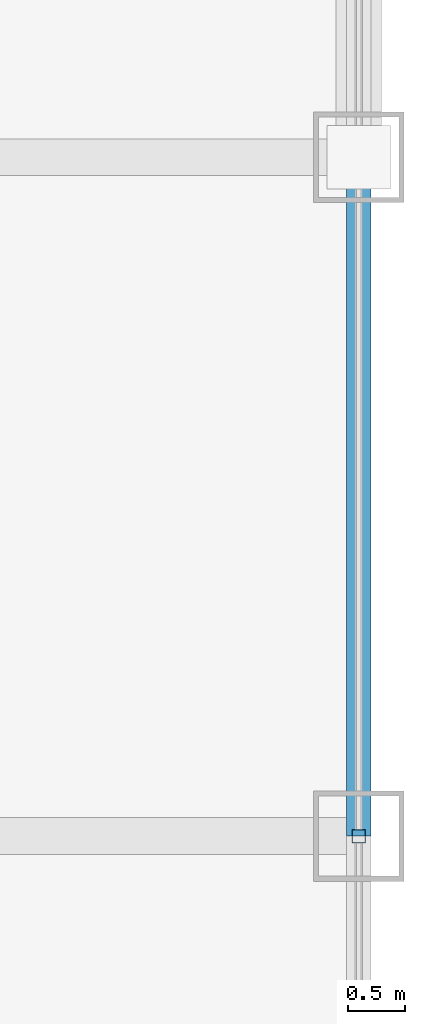
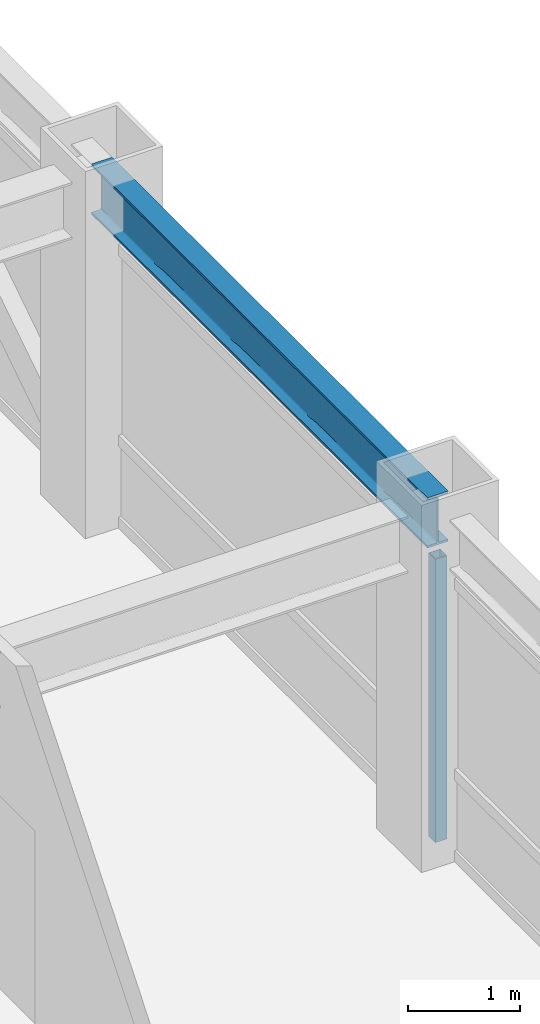
# One storey, part 12 of 28: 1 beam, 1 member, 1 element without a shape of its own.
"""IFC4 building model written with IfcOpenShell, lengths in metres."""

import ifcopenshell
import ifcopenshell.guid

model = None  # the IFC model being written
_history = None  # IfcOwnerHistory: only IFC2X3 demands one
_inside = {}  # id of a spatial element -> (the spatial element, [elements in it])
_under = {}  # id of a project, library or spatial element -> (it, [spatial elements below it])
_declared = {}  # id of a project -> (the project, [libraries it declares])
_typed = {}  # id of a type object -> (the type object, [elements of that type])
_made_of = {}  # id of a material, layer set ... -> (it, [elements and type objects made of it])


def new_model(schema):
    """Start an empty IFC model of exactly this schema.

    Asked for "IFC4X3", IfcOpenShell would pick the latest addendum, in which some entities
    have other attributes; the version numbers below select the first issue.
    IFC2X3 requires an IfcOwnerHistory on every rooted entity: one is made here for all.
    """
    global model, _history
    if schema == "IFC4X3":
        model = ifcopenshell.file(schema_version=(4, 3, 0, 0))
    else:
        model = ifcopenshell.file(schema=schema)
    _inside.clear()
    _under.clear()
    _declared.clear()
    _typed.clear()
    _made_of.clear()
    _history = None
    if model.schema == "IFC2X3":
        org = make("IfcOrganization", Name="unknown")
        user = make(
            "IfcPersonAndOrganization",
            ThePerson=make("IfcPerson", FamilyName="unknown"),
            TheOrganization=org,
        )
        app = make(
            "IfcApplication",
            ApplicationDeveloper=org,
            Version="unknown",
            ApplicationFullName="unknown",
            ApplicationIdentifier="unknown",
        )
        _history = make(
            "IfcOwnerHistory",
            OwningUser=user,
            OwningApplication=app,
            ChangeAction="ADDED",
            CreationDate=0,
        )
    return model


def make(cls, **values):
    """One entity of the class cls with the attributes given. An attribute that is None is left unset."""
    return model.create_entity(
        cls, **{name: value for name, value in values.items() if value is not None}
    )


def rooted(cls, **values):
    """An entity with a GlobalId (a new one), such as an element, a storey or a relation."""
    return make(cls, GlobalId=ifcopenshell.guid.new(), OwnerHistory=_history, **values)


def si_unit(unit_type, name, prefix=None):
    """IfcSIUnit, for example si_unit("LENGTHUNIT", "METRE", prefix="MILLI")."""
    return make("IfcSIUnit", UnitType=unit_type, Prefix=prefix, Name=name)


def assignment(units):
    """IfcUnitAssignment: the units of a project."""
    return None if units is None else make("IfcUnitAssignment", Units=units)


def point(xyz):
    """IfcCartesianPoint."""
    return None if xyz is None else make("IfcCartesianPoint", Coordinates=xyz)


def direction(xyz):
    """IfcDirection."""
    return None if xyz is None else make("IfcDirection", DirectionRatios=xyz)


def frame(location, z_axis=None, x_axis=None):
    """IfcAxis2Placement3D, a coordinate frame: its origin and axes. An axis left out is left unset."""
    return make(
        "IfcAxis2Placement3D",
        Location=point(location),
        Axis=direction(z_axis),
        RefDirection=direction(x_axis),
    )


def frame_2d(location, x_axis=None):
    """IfcAxis2Placement2D, a coordinate frame in the plane: its origin and x axis."""
    return make(
        "IfcAxis2Placement2D", Location=point(location), RefDirection=direction(x_axis)
    )


def origin():
    """The frame at (0, 0, 0) with its axes left unset."""
    return frame((0.0, 0.0, 0.0))


def origin_2d():
    """The frame at (0, 0) in the plane with its x axis left unset."""
    return frame_2d((0.0, 0.0))


def place(relative_to, where):
    """IfcLocalPlacement: puts the frame where relative to a parent placement (None: the world)."""
    return make(
        "IfcLocalPlacement", PlacementRelTo=relative_to, RelativePlacement=where
    )


def context(
    kind, dimensions, precision=None, world=None, true_north=None, identifier=None
):
    """IfcGeometricRepresentationContext, for example the 3D "Model" context."""
    return make(
        "IfcGeometricRepresentationContext",
        ContextIdentifier=identifier,
        ContextType=kind,
        CoordinateSpaceDimension=dimensions,
        Precision=precision,
        WorldCoordinateSystem=world,
        TrueNorth=true_north,
    )


def subcontext(parent, identifier, kind, view, scale=None):
    """IfcGeometricRepresentationSubContext, for example "Body" below "Model"."""
    return make(
        "IfcGeometricRepresentationSubContext",
        ContextIdentifier=identifier,
        ContextType=kind,
        ParentContext=parent,
        TargetScale=scale,
        TargetView=view,
    )


def project(units=None, contexts=None):
    """IfcProject with its units and contexts."""
    return rooted(
        "IfcProject",
        Name="project",
        RepresentationContexts=contexts,
        UnitsInContext=assignment(units),
    )


def spatial(cls, under=None, at=None, **own):
    """A site, building, storey or space (cls), placed at a placement, below another one or the project."""
    s = rooted(cls, ObjectPlacement=at, **own)
    if under is not None:
        _under.setdefault(under.id(), (under, []))[1].append(s)
    return s


def profile(cls, at=None, kind="AREA", **sizes):
    """A parametric profile (cls). Its sizes go by their IFC names, for example OverallWidth=200.0."""
    return make(cls, ProfileType=kind, Position=at, **sizes)


def hollow_rectangle(**sizes):
    """IfcRectangleHollowProfileDef."""
    return profile("IfcRectangleHollowProfileDef", **sizes)


def i_section(**sizes):
    """IfcIShapeProfileDef."""
    return profile("IfcIShapeProfileDef", **sizes)


def extrude(swept, where, along, depth):
    """IfcExtrudedAreaSolid: the profile swept, set in the frame where, extruded along a direction by depth."""
    return make(
        "IfcExtrudedAreaSolid",
        SweptArea=swept,
        Position=where,
        ExtrudedDirection=direction(along),
        Depth=depth,
    )


def shape(context_of_items, identifier, shape_type, items):
    """IfcShapeRepresentation: the items that make up one representation, for example the "Body"."""
    return make(
        "IfcShapeRepresentation",
        ContextOfItems=context_of_items,
        RepresentationIdentifier=identifier,
        RepresentationType=shape_type,
        Items=items,
    )


def source(mapping_origin, context_of_items, identifier, shape_type, items):
    """IfcRepresentationMap: a shape defined once, which mapped items show again and again."""
    return make(
        "IfcRepresentationMap",
        MappingOrigin=mapping_origin,
        MappedRepresentation=shape(context_of_items, identifier, shape_type, items),
    )


def transform(
    local_origin,
    x_axis=None,
    y_axis=None,
    z_axis=None,
    scale=None,
    scale2=None,
    scale3=None,
    uniform=True,
):
    """IfcCartesianTransformationOperator3D, or its non-uniform kind. x_axis, y_axis, z_axis: its Axis1, 2, 3."""
    if uniform:
        return make(
            "IfcCartesianTransformationOperator3D",
            Axis1=direction(x_axis),
            Axis2=direction(y_axis),
            LocalOrigin=point(local_origin),
            Scale=scale,
            Axis3=direction(z_axis),
        )
    return make(
        "IfcCartesianTransformationOperator3DnonUniform",
        Axis1=direction(x_axis),
        Axis2=direction(y_axis),
        LocalOrigin=point(local_origin),
        Scale=scale,
        Axis3=direction(z_axis),
        Scale2=scale2,
        Scale3=scale3,
    )


def mapped(mapping_source, mapping_target):
    """IfcMappedItem: shows the shape of a source again, moved by a transform."""
    return make(
        "IfcMappedItem", MappingSource=mapping_source, MappingTarget=mapping_target
    )


def material(Name=None, Category=None):
    """IfcMaterial."""
    return make("IfcMaterial", Name=Name, Category=Category)


def material_profile(
    of_material, cross_section, Name=None, Category=None, Priority=None
):
    """IfcMaterialProfile: a cross section and its material."""
    return make(
        "IfcMaterialProfile",
        Name=Name,
        Material=of_material,
        Profile=cross_section,
        Priority=Priority,
        Category=Category,
    )


def profile_set(profiles, Name=None, composite=None):
    """IfcMaterialProfileSet."""
    return make(
        "IfcMaterialProfileSet",
        Name=Name,
        MaterialProfiles=profiles,
        CompositeProfile=composite,
    )


def made_of(thing, what):
    """Note that an element or type object is made of a material, layer set ...; save() writes the relation."""
    if what is not None:
        _made_of.setdefault(what.id(), (what, []))[1].append(thing)
    return thing


def type_object(cls, material=None, **own):
    """A type object (cls), such as IfcWallType, which elements share."""
    return made_of(rooted(cls, **own), material)


def element(
    cls,
    number,
    at=None,
    inside=None,
    cuts=None,
    type_object=None,
    material=None,
    context=None,
    identifier="Body",
    shape_type=None,
    held_by="IfcProductDefinitionShape",
    body=None,
    shapes=None,
    **own,
):
    """One element of the class cls, such as IfcWall. Its Tag is "e" and its number.

    at: its placement. inside: the storey or other place that contains it. cuts: it is an
    opening in that element (IfcRelVoidsElement). A single representation is given by context,
    identifier, shape_type and body (its items); several are given by shapes. held_by: the class
    of the entity that holds the representations. save() writes the other relations.
    """
    e = rooted(cls, Tag="e%d" % number, ObjectPlacement=at, **own)
    if body is not None:
        shapes = [shape(context, identifier, shape_type, body)]
    if shapes is not None:
        e.Representation = make(held_by, Representations=shapes)
    if inside is not None:
        _inside.setdefault(inside.id(), (inside, []))[1].append(e)
    if cuts is not None:
        rooted(
            "IfcRelVoidsElement", RelatingBuildingElement=cuts, RelatedOpeningElement=e
        )
    if type_object is not None:
        _typed.setdefault(type_object.id(), (type_object, []))[1].append(e)
    return made_of(e, material)


def aggregate(whole, parts):
    """IfcRelAggregates: a whole, such as a stair, and the parts it consists of."""
    return rooted("IfcRelAggregates", RelatingObject=whole, RelatedObjects=parts)


def save(model, path):
    """Write the relations noted so far, then the file.

    IfcRelAggregates (storeys below a building ...), IfcRelContainedInSpatialStructure (elements
    in a storey), IfcRelDefinesByType, IfcRelAssociatesMaterial and IfcRelDeclares: one each for
    every whole, place, type object, material and project.
    """
    for whole, parts in _under.values():
        aggregate(whole, parts)
    for where, things in _inside.values():
        rooted(
            "IfcRelContainedInSpatialStructure",
            RelatedElements=things,
            RelatingStructure=where,
        )
    for kind, things in _typed.values():
        rooted("IfcRelDefinesByType", RelatedObjects=things, RelatingType=kind)
    for what, things in _made_of.values():
        rooted("IfcRelAssociatesMaterial", RelatedObjects=things, RelatingMaterial=what)
    for by, libraries in _declared.values():
        rooted("IfcRelDeclares", RelatingContext=by, RelatedDefinitions=libraries)
    model.write(path)


model = new_model("IFC4")

# Units and contexts
model_context = context("Model", 3, precision=1e-05, world=origin(), true_north=direction((0.0, 1.0)))
body_context = subcontext(model_context, "Body", "Model", "MODEL_VIEW")
ifc_project = project(units=[si_unit("LENGTHUNIT", "METRE"), si_unit("AREAUNIT", "SQUARE_METRE"), si_unit("VOLUMEUNIT", "CUBIC_METRE"), si_unit("PLANEANGLEUNIT", "RADIAN"), si_unit("MASSUNIT", "GRAM", prefix="KILO")], contexts=[model_context])

# Site, building, storey
site_placement = place(None, origin())
site = spatial("IfcSite", under=ifc_project, at=site_placement, CompositionType="ELEMENT")
building_placement = place(site_placement, origin())
building = spatial("IfcBuilding", under=site, at=building_placement, Name="Khorayat Bourse Tower", CompositionType="ELEMENT")
storey_placement = place(building_placement, frame((0.0, 0.0, 338.300048828125)))
storey = spatial("IfcBuildingStorey", under=building, at=storey_placement, Name="L80", CompositionType="ELEMENT", Elevation=338.300048828125)

# Beam
ifc_material_1 = material(Name="Steel ASTM A992 Grade 50", Category="steel")
ifc_material_profile_1 = material_profile(ifc_material_1, i_section(OverallWidth=0.214111328125, OverallDepth=0.549072265625, WebThickness=0.0146484375, FlangeThickness=0.023681640625, FilletRadius=0.013916015625, at=origin_2d()), Name="W530X138")
ifc_profile_set_1 = profile_set([ifc_material_profile_1], Name="Steel ASTM A992 Grade 50")
beam_type = type_object("IfcBeamType", Name="BM-SPAN-530", PredefinedType="SPANDREL", material=ifc_profile_set_1)
shared_shape_1 = source(origin(), body_context, "Body", "SweptSolid", [
    extrude(i_section(OverallWidth=0.214111328125, OverallDepth=0.549072265625, WebThickness=0.0146484375, FlangeThickness=0.023681640625, FilletRadius=0.013916015625, at=origin_2d()), origin(), (0.0, 0.0, 1.0), 6.0),
])
beam_placement = place(storey_placement, frame((26.0, 0.0, 3.46533203125), z_axis=(0.0, 1.0, 0.0), x_axis=(-1.0, 0.0, 0.0)))
element("IfcBeam", 1, at=beam_placement, inside=storey, type_object=beam_type, Name="L80 BM-SPAN-530 BM-L80-SPN-035", PredefinedType="SPANDREL", context=body_context, shape_type="MappedRepresentation", body=[
    mapped(shared_shape_1, transform((0.0, 0.0, 0.0), scale=1.0)),
])

# Curtain wall, member
ifc_material_2 = material(Name="Aluminium EN AW-6063 T6", Category="aluminium")
curtain_wall_type = type_object("IfcCurtainWallType", Name="CW-SYS-04", PredefinedType="NOTDEFINED", material=ifc_material_2)
curtain_wall_placement = place(storey_placement, origin())
curtain_wall = element("IfcCurtainWall", 2, at=curtain_wall_placement, inside=storey, type_object=curtain_wall_type, Name="L80 Curtain Wall CW-L80-E1", PredefinedType="NOTDEFINED")
ifc_material_profile_2 = material_profile(ifc_material_2, hollow_rectangle(XDim=0.1201171875, YDim=0.1201171875, WallThickness=0.0048828125, at=origin_2d()), Name="ALU 120x120x5")
ifc_profile_set_2 = profile_set([ifc_material_profile_2], Name="Aluminium EN AW-6063 T6")
member_type = type_object("IfcMemberType", Name="CWM-VERT-120", PredefinedType="MULLION", material=ifc_profile_set_2)
shared_shape_2 = source(origin(), body_context, "Body", "SweptSolid", [
    extrude(hollow_rectangle(XDim=0.1201171875, YDim=0.1201171875, WallThickness=0.0048828125, at=origin_2d()), origin(), (0.0, 0.0, 1.0), 3.08984375),
])
member_placement = place(storey_placement, frame((26.0, 0.0, 0.0), z_axis=(0.0, 0.0, 1.0), x_axis=(-1.0, 0.0, 0.0)))
member = element("IfcMember", 3, at=member_placement, type_object=member_type, Name="CW-L80-E1 Vertical Mullion 2", PredefinedType="MULLION", context=body_context, shape_type="MappedRepresentation", body=[
    mapped(shared_shape_2, transform((0.0, 0.0, 0.0), scale=1.0)),
])
aggregate(curtain_wall, [member])

save(model, "model.ifc")
